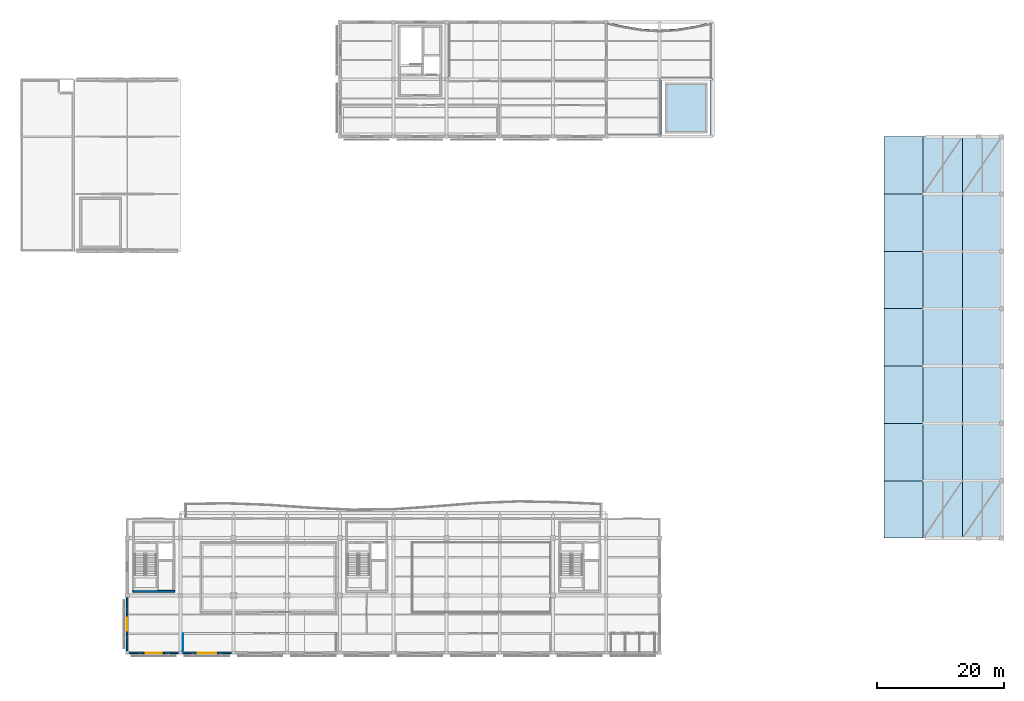
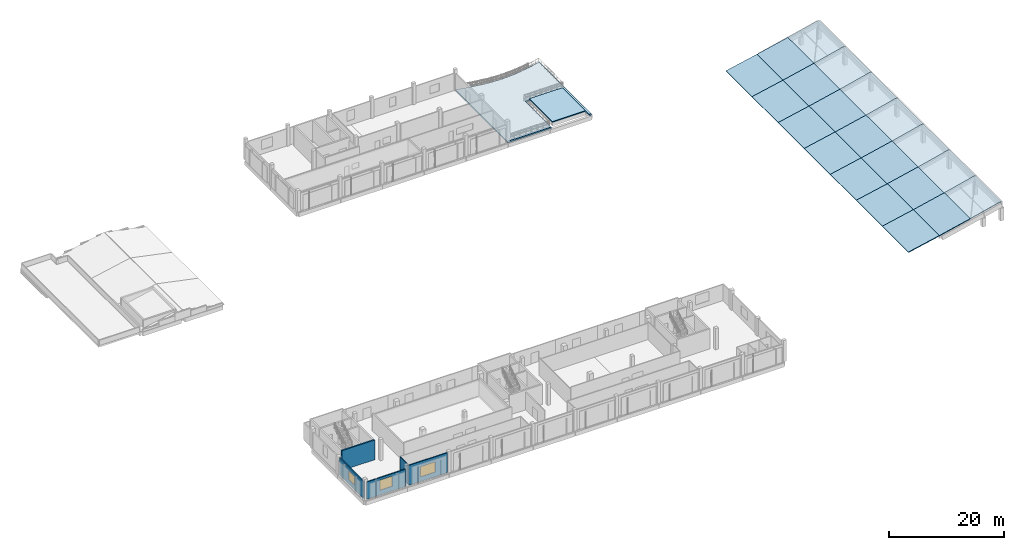
# One storey, part 14 of 28: 23 slabs, 5 walls, 3 windows, 3 openings.
"""IFC4 building model written with IfcOpenShell, lengths in metres."""

from ifc_helpers import new_model, si_unit, direction, frame, frame_2d, origin, place, context, subcontext, project, spatial, polyline, rectangle, outline, extrude, material, layer, layer_set, type_object, element, fill, save


model = new_model("IFC4")

# Units and contexts
model_context = context("Model", 3, precision=1e-05, world=origin(), true_north=direction((0.0, 1.0)))
body_context = subcontext(model_context, "Body", "Model", "MODEL_VIEW")
ifc_project = project(units=[si_unit("LENGTHUNIT", "METRE"), si_unit("AREAUNIT", "SQUARE_METRE"), si_unit("VOLUMEUNIT", "CUBIC_METRE"), si_unit("PLANEANGLEUNIT", "RADIAN"), si_unit("MASSUNIT", "GRAM", prefix="KILO")], contexts=[model_context])

# Site, building, storey
site_placement = place(None, origin())
site = spatial("IfcSite", under=ifc_project, at=site_placement, CompositionType="ELEMENT")
building_placement = place(site_placement, origin())
building = spatial("IfcBuilding", under=site, at=building_placement, Name="Khurvash Pelagic Aquarium", CompositionType="ELEMENT")
storey_placement = place(building_placement, frame((0.0, 0.0, 20.10009765625)))
storey = spatial("IfcBuildingStorey", under=building, at=storey_placement, Name="L04", CompositionType="ELEMENT", Elevation=20.10009765625)

# Slabs
ifc_material_1 = material(Name="Steel-fibre concrete C40/50", Category="concrete")
ifc_layer_1 = layer(ifc_material_1, 0.14990234375)
ifc_layer_set_1 = layer_set([ifc_layer_1], Name="Steel-fibre concrete C40/50")
slab_type_1 = type_object("IfcSlabType", Name="RS-150", PredefinedType="ROOF", material=ifc_layer_set_1)
slab_1_placement = place(storey_placement, frame((144.60009765625, 29.75, -0.340087890625), z_axis=(-0.208247972595, 0.0, 0.978076061413), x_axis=(0.978076061413, 0.0, 0.208247972595)))
element("IfcSlab", 1, at=slab_1_placement, inside=storey, type_object=slab_type_1, Name="Main Ocean Tank Wave Shell Roof Strip RS-150 Bay 2.4", PredefinedType="ROOF", context=body_context, shape_type="SweptSolid", body=[
    extrude(outline(polyline([(0.0, 0.0), (6.338925382669935, 0.0), (6.338925382669935, 9.050048828125), (0.0, 9.050048828125), (0.0, 0.0)])), origin(), (0.0, 0.0, -1.0), 0.14990234375),
])
slab_2_placement = place(storey_placement, frame((150.800048828125, 29.75, 0.97998046875), z_axis=(-0.221745573057, 0.0, 0.975104558922), x_axis=(0.975104558922, 0.0, 0.221745573057)))
element("IfcSlab", 2, at=slab_2_placement, inside=storey, type_object=slab_type_1, Name="Main Ocean Tank Wave Shell Roof Strip RS-150 Bay 2.5", PredefinedType="ROOF", context=body_context, shape_type="SweptSolid", body=[
    extrude(outline(polyline([(0.0, 0.0), (6.358242421439783, 0.0), (6.358242421439783, 9.050048828125), (0.0, 9.050048828125), (0.0, 0.0)])), origin(), (0.0, 0.0, -1.0), 0.14990234375),
])
slab_3_placement = place(storey_placement, frame((157.0, 29.75, 2.389892578125), z_axis=(-0.236634689033, 0.0, 0.971598694908), x_axis=(0.971598694908, 0.0, 0.236634689033)))
element("IfcSlab", 3, at=slab_3_placement, inside=storey, type_object=slab_type_1, Name="Main Ocean Tank Wave Shell Roof Strip RS-150 Bay 2.6", PredefinedType="ROOF", context=body_context, shape_type="SweptSolid", body=[
    extrude(outline(polyline([(0.0, 0.0), (6.381185158410391, 0.0), (6.381185158410391, 9.050048828125), (0.0, 9.050048828125), (0.0, 0.0)])), origin(), (0.0, 0.0, -1.0), 0.14990234375),
])
slab_4_placement = place(storey_placement, frame((144.60009765625, 38.800048828125, -0.340087890625), z_axis=(-0.208247972595, 0.0, 0.978076061413), x_axis=(0.978076061413, 0.0, 0.208247972595)))
element("IfcSlab", 4, at=slab_4_placement, inside=storey, type_object=slab_type_1, Name="Main Ocean Tank Wave Shell Roof Strip RS-150 Bay 3.4", PredefinedType="ROOF", context=body_context, shape_type="SweptSolid", body=[
    extrude(outline(polyline([(0.0, 0.0), (6.338925382669935, 0.0), (6.338925382669935, 9.050048828125), (0.0, 9.050048828125), (0.0, 0.0)])), origin(), (0.0, 0.0, -1.0), 0.14990234375),
])
slab_5_placement = place(storey_placement, frame((150.800048828125, 38.800048828125, 0.97998046875), z_axis=(-0.221745573057, 0.0, 0.975104558922), x_axis=(0.975104558922, 0.0, 0.221745573057)))
element("IfcSlab", 5, at=slab_5_placement, inside=storey, type_object=slab_type_1, Name="Main Ocean Tank Wave Shell Roof Strip RS-150 Bay 3.5", PredefinedType="ROOF", context=body_context, shape_type="SweptSolid", body=[
    extrude(outline(polyline([(0.0, 0.0), (6.358242421439783, 0.0), (6.358242421439783, 9.050048828125), (0.0, 9.050048828125), (0.0, 0.0)])), origin(), (0.0, 0.0, -1.0), 0.14990234375),
])
slab_6_placement = place(storey_placement, frame((157.0, 38.800048828125, 2.389892578125), z_axis=(-0.236634689033, 0.0, 0.971598694908), x_axis=(0.971598694908, 0.0, 0.236634689033)))
element("IfcSlab", 6, at=slab_6_placement, inside=storey, type_object=slab_type_1, Name="Main Ocean Tank Wave Shell Roof Strip RS-150 Bay 3.6", PredefinedType="ROOF", context=body_context, shape_type="SweptSolid", body=[
    extrude(outline(polyline([(0.0, 0.0), (6.381185158410391, 0.0), (6.381185158410391, 9.050048828125), (0.0, 9.050048828125), (0.0, 0.0)])), origin(), (0.0, 0.0, -1.0), 0.14990234375),
])
slab_7_placement = place(storey_placement, frame((144.60009765625, 47.85009765625, -0.340087890625), z_axis=(-0.208247972595, 0.0, 0.978076061413), x_axis=(0.978076061413, 0.0, 0.208247972595)))
element("IfcSlab", 7, at=slab_7_placement, inside=storey, type_object=slab_type_1, Name="Main Ocean Tank Wave Shell Roof Strip RS-150 Bay 4.4", PredefinedType="ROOF", context=body_context, shape_type="SweptSolid", body=[
    extrude(outline(polyline([(0.0, 0.0), (6.338925382669935, 0.0), (6.338925382669935, 9.0498046875), (0.0, 9.0498046875), (0.0, 0.0)])), origin(), (0.0, 0.0, -1.0), 0.14990234375),
])
slab_8_placement = place(storey_placement, frame((150.800048828125, 47.85009765625, 0.97998046875), z_axis=(-0.221745573057, 0.0, 0.975104558922), x_axis=(0.975104558922, 0.0, 0.221745573057)))
element("IfcSlab", 8, at=slab_8_placement, inside=storey, type_object=slab_type_1, Name="Main Ocean Tank Wave Shell Roof Strip RS-150 Bay 4.5", PredefinedType="ROOF", context=body_context, shape_type="SweptSolid", body=[
    extrude(outline(polyline([(0.0, 0.0), (6.358242421439783, 0.0), (6.358242421439783, 9.0498046875), (0.0, 9.0498046875), (0.0, 0.0)])), origin(), (0.0, 0.0, -1.0), 0.14990234375),
])
slab_9_placement = place(storey_placement, frame((157.0, 47.85009765625, 2.389892578125), z_axis=(-0.236634689033, 0.0, 0.971598694908), x_axis=(0.971598694908, 0.0, 0.236634689033)))
element("IfcSlab", 9, at=slab_9_placement, inside=storey, type_object=slab_type_1, Name="Main Ocean Tank Wave Shell Roof Strip RS-150 Bay 4.6", PredefinedType="ROOF", context=body_context, shape_type="SweptSolid", body=[
    extrude(outline(polyline([(0.0, 0.0), (6.381185158410392, 0.0), (6.381185158410392, 9.0498046875), (0.0, 9.0498046875), (0.0, 0.0)])), origin(), (0.0, 0.0, -1.0), 0.14990234375),
])
slab_10_placement = place(storey_placement, frame((144.60009765625, 56.89990234375, -0.340087890625), z_axis=(-0.208247972595, 0.0, 0.978076061413), x_axis=(0.978076061413, 0.0, 0.208247972595)))
element("IfcSlab", 10, at=slab_10_placement, inside=storey, type_object=slab_type_1, Name="Main Ocean Tank Wave Shell Roof Strip RS-150 Bay 5.4", PredefinedType="ROOF", context=body_context, shape_type="SweptSolid", body=[
    extrude(outline(polyline([(0.0, 0.0), (6.338925382669935, 0.0), (6.338925382669935, 9.050048828125), (0.0, 9.050048828125), (0.0, 0.0)])), origin(), (0.0, 0.0, -1.0), 0.14990234375),
])
slab_11_placement = place(storey_placement, frame((150.800048828125, 56.89990234375, 0.97998046875), z_axis=(-0.221745573057, 0.0, 0.975104558922), x_axis=(0.975104558922, 0.0, 0.221745573057)))
element("IfcSlab", 11, at=slab_11_placement, inside=storey, type_object=slab_type_1, Name="Main Ocean Tank Wave Shell Roof Strip RS-150 Bay 5.5", PredefinedType="ROOF", context=body_context, shape_type="SweptSolid", body=[
    extrude(outline(polyline([(0.0, 0.0), (6.358242421439783, 0.0), (6.358242421439783, 9.050048828125), (0.0, 9.050048828125), (0.0, 0.0)])), origin(), (0.0, 0.0, -1.0), 0.14990234375),
])
slab_12_placement = place(storey_placement, frame((157.0, 56.89990234375, 2.389892578125), z_axis=(-0.236634689033, 0.0, 0.971598694908), x_axis=(0.971598694908, 0.0, 0.236634689033)))
element("IfcSlab", 12, at=slab_12_placement, inside=storey, type_object=slab_type_1, Name="Main Ocean Tank Wave Shell Roof Strip RS-150 Bay 5.6", PredefinedType="ROOF", context=body_context, shape_type="SweptSolid", body=[
    extrude(outline(polyline([(0.0, 0.0), (6.381185158410391, 0.0), (6.381185158410391, 9.050048828125), (0.0, 9.050048828125), (0.0, 0.0)])), origin(), (0.0, 0.0, -1.0), 0.14990234375),
])
slab_13_placement = place(storey_placement, frame((144.60009765625, 65.949951171875, -0.340087890625), z_axis=(-0.208247972595, 0.0, 0.978076061413), x_axis=(0.978076061413, 0.0, 0.208247972595)))
element("IfcSlab", 13, at=slab_13_placement, inside=storey, type_object=slab_type_1, Name="Main Ocean Tank Wave Shell Roof Strip RS-150 Bay 6.4", PredefinedType="ROOF", context=body_context, shape_type="SweptSolid", body=[
    extrude(outline(polyline([(0.0, 0.0), (6.338925382669935, 0.0), (6.338925382669935, 9.050048828125), (0.0, 9.050048828125), (0.0, 0.0)])), origin(), (0.0, 0.0, -1.0), 0.14990234375),
])
slab_14_placement = place(storey_placement, frame((150.800048828125, 65.949951171875, 0.97998046875), z_axis=(-0.221745573057, 0.0, 0.975104558922), x_axis=(0.975104558922, 0.0, 0.221745573057)))
element("IfcSlab", 14, at=slab_14_placement, inside=storey, type_object=slab_type_1, Name="Main Ocean Tank Wave Shell Roof Strip RS-150 Bay 6.5", PredefinedType="ROOF", context=body_context, shape_type="SweptSolid", body=[
    extrude(outline(polyline([(0.0, 0.0), (6.358242421439783, 0.0), (6.358242421439783, 9.050048828125), (0.0, 9.050048828125), (0.0, 0.0)])), origin(), (0.0, 0.0, -1.0), 0.14990234375),
])
slab_15_placement = place(storey_placement, frame((157.0, 65.949951171875, 2.389892578125), z_axis=(-0.236634689033, 0.0, 0.971598694908), x_axis=(0.971598694908, 0.0, 0.236634689033)))
element("IfcSlab", 15, at=slab_15_placement, inside=storey, type_object=slab_type_1, Name="Main Ocean Tank Wave Shell Roof Strip RS-150 Bay 6.6", PredefinedType="ROOF", context=body_context, shape_type="SweptSolid", body=[
    extrude(outline(polyline([(0.0, 0.0), (6.381185158410391, 0.0), (6.381185158410391, 9.050048828125), (0.0, 9.050048828125), (0.0, 0.0)])), origin(), (0.0, 0.0, -1.0), 0.14990234375),
])
ifc_layer_2 = layer(ifc_material_1, 0.1650390625)
ifc_layer_set_2 = layer_set([ifc_layer_2], Name="Steel-fibre concrete C40/50")
slab_type_2 = type_object("IfcSlabType", Name="RS-165", PredefinedType="ROOF", material=ifc_layer_set_2)
slab_16_placement = place(storey_placement, frame((144.60009765625, 20.699951171875, -0.340087890625), z_axis=(-0.208247972595, 0.0, 0.978076061413), x_axis=(0.978076061413, 0.0, 0.208247972595)))
element("IfcSlab", 16, at=slab_16_placement, inside=storey, type_object=slab_type_2, Name="Main Ocean Tank Wave Shell Roof Strip RS-165 Bay 1.4", PredefinedType="ROOF", context=body_context, shape_type="SweptSolid", body=[
    extrude(outline(polyline([(0.0, 0.0), (6.338925382669935, 0.0), (6.338925382669935, 9.050048828125), (0.0, 9.050048828125), (0.0, 0.0)])), origin(), (0.0, 0.0, -1.0), 0.1650390625),
])
slab_17_placement = place(storey_placement, frame((150.800048828125, 20.699951171875, 0.97998046875), z_axis=(-0.221745573057, 0.0, 0.975104558922), x_axis=(0.975104558922, 0.0, 0.221745573057)))
element("IfcSlab", 17, at=slab_17_placement, inside=storey, type_object=slab_type_2, Name="Main Ocean Tank Wave Shell Roof Strip RS-165 Bay 1.5", PredefinedType="ROOF", context=body_context, shape_type="SweptSolid", body=[
    extrude(outline(polyline([(0.0, 0.0), (6.358242421439783, 0.0), (6.358242421439783, 9.050048828125), (0.0, 9.050048828125), (0.0, 0.0)])), origin(), (0.0, 0.0, -1.0), 0.1650390625),
])
slab_18_placement = place(storey_placement, frame((157.0, 20.699951171875, 2.389892578125), z_axis=(-0.236634689033, 0.0, 0.971598694908), x_axis=(0.971598694908, 0.0, 0.236634689033)))
element("IfcSlab", 18, at=slab_18_placement, inside=storey, type_object=slab_type_2, Name="Main Ocean Tank Wave Shell Roof Strip RS-165 Bay 1.6", PredefinedType="ROOF", context=body_context, shape_type="SweptSolid", body=[
    extrude(outline(polyline([(0.0, 0.0), (6.381185158410391, 0.0), (6.381185158410391, 9.050048828125), (0.0, 9.050048828125), (0.0, 0.0)])), origin(), (0.0, 0.0, -1.0), 0.1650390625),
])
slab_19_placement = place(storey_placement, frame((144.60009765625, 75.0, -0.340087890625), z_axis=(-0.208247972595, 0.0, 0.978076061413), x_axis=(0.978076061413, 0.0, 0.208247972595)))
element("IfcSlab", 19, at=slab_19_placement, inside=storey, type_object=slab_type_2, Name="Main Ocean Tank Wave Shell Roof Strip RS-165 Bay 7.4", PredefinedType="ROOF", context=body_context, shape_type="SweptSolid", body=[
    extrude(outline(polyline([(0.0, 0.0), (6.338925382669935, 0.0), (6.338925382669935, 9.050048828125), (0.0, 9.050048828125), (0.0, 0.0)])), origin(), (0.0, 0.0, -1.0), 0.1650390625),
])
slab_20_placement = place(storey_placement, frame((150.800048828125, 75.0, 0.97998046875), z_axis=(-0.221745573057, 0.0, 0.975104558922), x_axis=(0.975104558922, 0.0, 0.221745573057)))
element("IfcSlab", 20, at=slab_20_placement, inside=storey, type_object=slab_type_2, Name="Main Ocean Tank Wave Shell Roof Strip RS-165 Bay 7.5", PredefinedType="ROOF", context=body_context, shape_type="SweptSolid", body=[
    extrude(outline(polyline([(0.0, 0.0), (6.358242421439783, 0.0), (6.358242421439783, 9.050048828125), (0.0, 9.050048828125), (0.0, 0.0)])), origin(), (0.0, 0.0, -1.0), 0.1650390625),
])
slab_21_placement = place(storey_placement, frame((157.0, 75.0, 2.389892578125), z_axis=(-0.236634689033, 0.0, 0.971598694908), x_axis=(0.971598694908, 0.0, 0.236634689033)))
element("IfcSlab", 21, at=slab_21_placement, inside=storey, type_object=slab_type_2, Name="Main Ocean Tank Wave Shell Roof Strip RS-165 Bay 7.6", PredefinedType="ROOF", context=body_context, shape_type="SweptSolid", body=[
    extrude(outline(polyline([(0.0, 0.0), (6.381185158410391, 0.0), (6.381185158410391, 9.050048828125), (0.0, 9.050048828125), (0.0, 0.0)])), origin(), (0.0, 0.0, -1.0), 0.1650390625),
])
ifc_material_2 = material(Name="Concrete C35/45", Category="concrete")
ifc_layer_3 = layer(ifc_material_2, 0.219970703125)
ifc_layer_set_3 = layer_set([ifc_layer_3], Name="Concrete C35/45")
slab_type_3 = type_object("IfcSlabType", Name="RS-220", PredefinedType="ROOF", material=ifc_layer_set_3)
slab_22_placement = place(storey_placement, frame((0.0, 0.0, 0.449951171875)))
element("IfcSlab", 22, at=slab_22_placement, inside=storey, type_object=slab_type_3, Name="L04 Core C6 Shaft Roof Cap Slab RS-220", PredefinedType="ROOF", context=body_context, shape_type="SweptSolid", body=[
    extrude(outline(polyline([(110.10009765625, 84.550048828125), (116.699951171875, 84.550048828125), (116.699951171875, 92.550048828125), (110.10009765625, 92.550048828125), (110.10009765625, 84.550048828125)])), origin(), (0.0, 0.0, 1.0), 0.219970703125),
])
ifc_material_3 = material(Name="Water-retaining concrete C40/50", Category="concrete")
ifc_layer_4 = layer(ifc_material_3, 0.2900390625)
ifc_layer_set_4 = layer_set([ifc_layer_4], Name="Water-retaining concrete C40/50")
slab_type_4 = type_object("IfcSlabType", Name="TR-290", PredefinedType="FLOOR", material=ifc_layer_set_4)
slab_23_placement = place(storey_placement, frame((0.0, 0.0, -0.2900390625)))
element("IfcSlab", 23, at=slab_23_placement, inside=storey, type_object=slab_type_4, Name="L04 Planted Monsoon Terrace Slab TR-290 TERR_L04_N", PredefinedType="FLOOR", context=body_context, shape_type="SweptSolid", body=[
    extrude(outline(polyline([(100.800048828125, 84.050048828125), (109.60009765625, 84.050048828125), (109.60009765625, 93.050048828125), (117.199951171875, 93.050048828125), (117.199951171875, 84.050048828125), (117.60009765625, 84.050048828125), (117.60009765625, 102.14990234375), (114.800048828125, 101.52490234375), (112.0, 101.06689453125), (109.199951171875, 100.89990234375), (106.39990234375, 101.06689453125), (103.60009765625, 101.52490234375), (100.800048828125, 102.14990234375), (100.800048828125, 84.050048828125)])), origin(), (0.0, 0.0, 1.0), 0.2900390625),
])

# Wall, opening, window
ifc_material_4 = material(Name="Glass-fibre reinforced concrete C40/50", Category="concrete")
ifc_layer_5 = layer(ifc_material_4, 0.219970703125)
ifc_layer_set_5 = layer_set([ifc_layer_5], Name="Glass-fibre reinforced concrete C40/50")
wall_type_1 = type_object("IfcWallType", Name="EW-220", PredefinedType="STANDARD", material=ifc_layer_set_5)
wall_1_placement = place(storey_placement, frame((25.5048828125, 2.60009765625, 0.0), z_axis=(0.0, 0.0, 1.0), x_axis=(1.0, 0.0, 0.0)))
wall_1 = element("IfcWall", 24, at=wall_1_placement, inside=storey, type_object=wall_type_1, Name="L04 Exterior Architectural Facade Wall EW-220 0163", PredefinedType="STANDARD", context=body_context, shape_type="SweptSolid", body=[
    extrude(rectangle(XDim=7.7900390625, YDim=0.219970703125, at=frame_2d((3.89501953125, 0.0))), origin(), (0.0, 0.0, 1.0), 3.630859375),
])
opening_1_placement = place(wall_1_placement, frame((2.6650390625, 0.0, 0.949951171875)))
opening_1 = element("IfcOpeningElement", 25, at=opening_1_placement, cuts=wall_1, Name="Opening WN-38", PredefinedType="OPENING", context=body_context, shape_type="SweptSolid", body=[
    extrude(rectangle(XDim=2.4599609375, YDim=2.139892578125, at=frame_2d((1.22998046875, 1.06982421875))), frame((0.0, 0.1201171875, 0.0), z_axis=(0.0, -1.0, 0.0), x_axis=(1.0, 0.0, 0.0)), (0.0, 0.0, 1.0), 0.239990234375),
])
ifc_material_5 = material(Name="Thermally broken aluminium and low-E glass", Category="aluminium")
window_type_1 = type_object("IfcWindowType", Name="WN-38", PartitioningType="SINGLE_PANEL", PredefinedType="WINDOW", material=ifc_material_5)
window_1_placement = place(opening_1_placement, origin())
window_1 = element("IfcWindow", 26, at=window_1_placement, inside=storey, type_object=window_type_1, Name="L04 Facade Window WN-38 0108", OverallHeight=2.139892578125, OverallWidth=2.4599609375, PartitioningType="SINGLE_PANEL", PredefinedType="WINDOW", context=body_context, shape_type="SweptSolid", body=[
    extrude(rectangle(XDim=2.4599609375, YDim=2.139892578125, at=frame_2d((1.22998046875, 1.06982421875))), frame((0.0, 0.030029296875, 0.0), z_axis=(0.0, -1.0, 0.0), x_axis=(1.0, 0.0, 0.0)), (0.0, 0.0, 1.0), 0.06005859375),
])
fill(opening_1, window_1)

wall_2_placement = place(storey_placement, frame((33.905029296875, 2.60009765625, 0.0), z_axis=(0.0, 0.0, 1.0), x_axis=(1.0, 0.0, 0.0)))
wall_2 = element("IfcWall", 27, at=wall_2_placement, inside=storey, type_object=wall_type_1, Name="L04 Exterior Architectural Facade Wall EW-220 0164", PredefinedType="STANDARD", context=body_context, shape_type="SweptSolid", body=[
    extrude(rectangle(XDim=7.7900390625, YDim=0.219970703125, at=frame_2d((3.89501953125, 0.0))), origin(), (0.0, 0.0, 1.0), 4.199951171875),
])
opening_2_placement = place(wall_2_placement, frame((2.4150390625, 0.0, 0.949951171875)))
opening_2 = element("IfcOpeningElement", 28, at=opening_2_placement, cuts=wall_2, Name="Opening WN-40", PredefinedType="OPENING", context=body_context, shape_type="SweptSolid", body=[
    extrude(rectangle(XDim=2.9599609375, YDim=2.159912109375, at=frame_2d((1.47998046875, 1.080078125))), frame((0.0, 0.1201171875, 0.0), z_axis=(0.0, -1.0, 0.0), x_axis=(1.0, 0.0, 0.0)), (0.0, 0.0, 1.0), 0.239990234375),
])
window_type_2 = type_object("IfcWindowType", Name="WN-40", PartitioningType="SINGLE_PANEL", PredefinedType="WINDOW", material=ifc_material_5)
window_2_placement = place(opening_2_placement, origin())
window_2 = element("IfcWindow", 29, at=window_2_placement, inside=storey, type_object=window_type_2, Name="L04 Facade Window WN-40 0109", OverallHeight=2.159912109375, OverallWidth=2.9599609375, PartitioningType="SINGLE_PANEL", PredefinedType="WINDOW", context=body_context, shape_type="SweptSolid", body=[
    extrude(rectangle(XDim=2.9599609375, YDim=2.159912109375, at=frame_2d((1.47998046875, 1.080078125))), frame((0.0, 0.030029296875, 0.0), z_axis=(0.0, -1.0, 0.0), x_axis=(1.0, 0.0, 0.0)), (0.0, 0.0, 1.0), 0.06005859375),
])
fill(opening_2, window_2)

wall_3_placement = place(storey_placement, frame((25.199951171875, 11.294921875, 0.0), z_axis=(0.0, 0.0, 1.0), x_axis=(0.0, -1.0, 0.0)))
wall_3 = element("IfcWall", 30, at=wall_3_placement, inside=storey, type_object=wall_type_1, Name="L04 Exterior Architectural Facade Wall EW-220 0188", PredefinedType="STANDARD", context=body_context, shape_type="SweptSolid", body=[
    extrude(rectangle(XDim=8.389892578125, YDim=0.219970703125, at=frame_2d((4.19482421875, 0.0))), origin(), (0.0, 0.0, 1.0), 3.630859375),
])
opening_3_placement = place(wall_3_placement, frame((3.169921875, 0.0, 0.949951171875)))
opening_3 = element("IfcOpeningElement", 31, at=opening_3_placement, cuts=wall_3, Name="Opening WN-23", PredefinedType="OPENING", context=body_context, shape_type="SweptSolid", body=[
    extrude(rectangle(XDim=2.050048828125, YDim=1.85009765625, at=frame_2d((1.02490234375, 0.925048828125))), frame((0.0, 0.1201171875, 0.0), z_axis=(0.0, -1.0, 0.0), x_axis=(1.0, 0.0, 0.0)), (0.0, 0.0, 1.0), 0.239990234375),
])
window_type_3 = type_object("IfcWindowType", Name="WN-23", PartitioningType="SINGLE_PANEL", PredefinedType="WINDOW", material=ifc_material_5)
window_3_placement = place(opening_3_placement, origin())
window_3 = element("IfcWindow", 32, at=window_3_placement, inside=storey, type_object=window_type_3, Name="L04 Facade Window WN-23 0124", OverallHeight=1.85009765625, OverallWidth=2.050048828125, PartitioningType="SINGLE_PANEL", PredefinedType="WINDOW", context=body_context, shape_type="SweptSolid", body=[
    extrude(rectangle(XDim=2.050048828125, YDim=1.85009765625, at=frame_2d((1.02490234375, 0.925048828125))), frame((0.0, 0.030029296875, 0.0), z_axis=(0.0, -1.0, 0.0), x_axis=(1.0, 0.0, 0.0)), (0.0, 0.0, 1.0), 0.06005859375),
])
fill(opening_3, window_3)

# Walls
ifc_material_6 = material(Name="Moisture-resistant gypsum and steel stud", Category="steel")
ifc_layer_6 = layer(ifc_material_6, 0.125)
ifc_layer_set_6 = layer_set([ifc_layer_6], Name="Moisture-resistant gypsum and steel stud")
wall_type_2 = type_object("IfcWallType", Name="PW-125", PredefinedType="PARTITIONING", material=ifc_layer_set_6)
wall_4_placement = place(storey_placement, frame((34.0, 2.862060546875, 0.0), z_axis=(0.0, 0.0, 1.0), x_axis=(0.0, 1.0, 0.0)))
element("IfcWall", 33, at=wall_4_placement, inside=storey, type_object=wall_type_2, Name="L04 Sindh Delta Mudflat and Tidal Pool Gallery Partition Wall PW-125", PredefinedType="PARTITIONING", context=body_context, shape_type="SweptSolid", body=[
    extrude(rectangle(XDim=2.725830078125, YDim=0.125, at=frame_2d((1.36279296875, 0.0))), origin(), (0.0, 0.0, 1.0), 4.199951171875),
])
ifc_material_7 = material(Name="Concrete C40/50", Category="concrete")
ifc_layer_7 = layer(ifc_material_7, 0.300048828125)
ifc_layer_set_7 = layer_set([ifc_layer_7], Name="Concrete C40/50")
wall_type_3 = type_object("IfcWallType", Name="SW-300", PredefinedType="SHEAR", material=ifc_layer_set_7)
wall_5_placement = place(storey_placement, frame((26.10009765625, 12.300048828125, 0.0), z_axis=(0.0, 0.0, 1.0), x_axis=(1.0, 0.0, 0.0)))
element("IfcWall", 34, at=wall_5_placement, inside=storey, type_object=wall_type_3, Name="L04 Core C1 South Shear Wall SW-300", PredefinedType="SHEAR", context=body_context, shape_type="SweptSolid", body=[
    extrude(rectangle(XDim=6.599853515625, YDim=0.300048828125, at=frame_2d((3.2998046875, 0.0))), origin(), (0.0, 0.0, 1.0), 4.199951171875),
])

save(model, "model.ifc")
